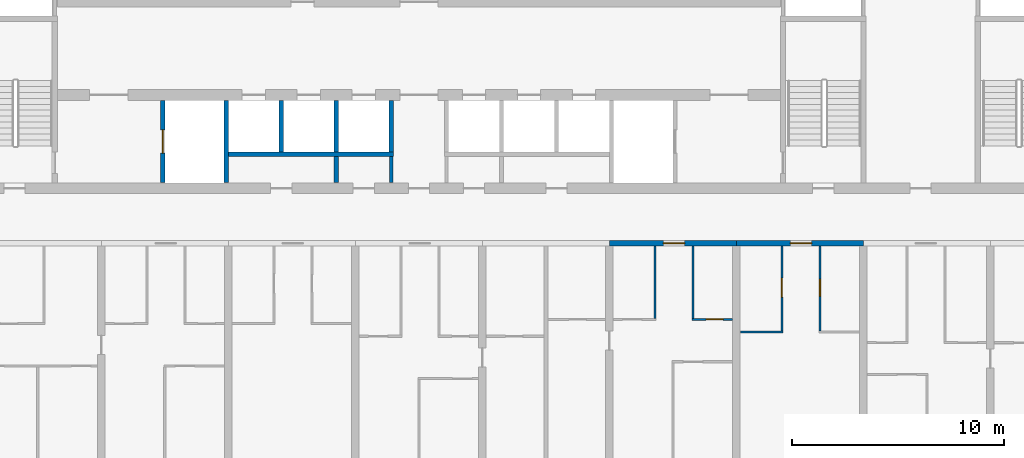
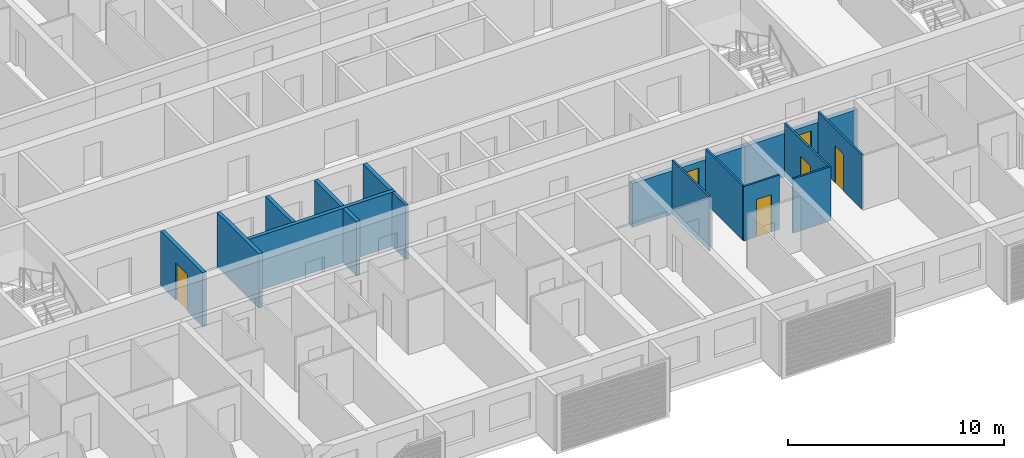
# One storey, part 6 of 27: 16 walls, 6 doors, 6 openings.
"""IFC4 building model written with IfcOpenShell, lengths in metres."""

import ifcopenshell
import ifcopenshell.guid

model = None  # the IFC model being written
_history = None  # IfcOwnerHistory: only IFC2X3 demands one
_inside = {}  # id of a spatial element -> (the spatial element, [elements in it])
_under = {}  # id of a project, library or spatial element -> (it, [spatial elements below it])
_declared = {}  # id of a project -> (the project, [libraries it declares])
_typed = {}  # id of a type object -> (the type object, [elements of that type])
_made_of = {}  # id of a material, layer set ... -> (it, [elements and type objects made of it])


def new_model(schema):
    """Start an empty IFC model of exactly this schema.

    Asked for "IFC4X3", IfcOpenShell would pick the latest addendum, in which some entities
    have other attributes; the version numbers below select the first issue.
    IFC2X3 requires an IfcOwnerHistory on every rooted entity: one is made here for all.
    """
    global model, _history
    if schema == "IFC4X3":
        model = ifcopenshell.file(schema_version=(4, 3, 0, 0))
    else:
        model = ifcopenshell.file(schema=schema)
    _inside.clear()
    _under.clear()
    _declared.clear()
    _typed.clear()
    _made_of.clear()
    _history = None
    if model.schema == "IFC2X3":
        org = make("IfcOrganization", Name="unknown")
        user = make(
            "IfcPersonAndOrganization",
            ThePerson=make("IfcPerson", FamilyName="unknown"),
            TheOrganization=org,
        )
        app = make(
            "IfcApplication",
            ApplicationDeveloper=org,
            Version="unknown",
            ApplicationFullName="unknown",
            ApplicationIdentifier="unknown",
        )
        _history = make(
            "IfcOwnerHistory",
            OwningUser=user,
            OwningApplication=app,
            ChangeAction="ADDED",
            CreationDate=0,
        )
    return model


def make(cls, **values):
    """One entity of the class cls with the attributes given. An attribute that is None is left unset."""
    return model.create_entity(
        cls, **{name: value for name, value in values.items() if value is not None}
    )


def rooted(cls, **values):
    """An entity with a GlobalId (a new one), such as an element, a storey or a relation."""
    return make(cls, GlobalId=ifcopenshell.guid.new(), OwnerHistory=_history, **values)


def si_unit(unit_type, name, prefix=None):
    """IfcSIUnit, for example si_unit("LENGTHUNIT", "METRE", prefix="MILLI")."""
    return make("IfcSIUnit", UnitType=unit_type, Prefix=prefix, Name=name)


def assignment(units):
    """IfcUnitAssignment: the units of a project."""
    return None if units is None else make("IfcUnitAssignment", Units=units)


def point(xyz):
    """IfcCartesianPoint."""
    return None if xyz is None else make("IfcCartesianPoint", Coordinates=xyz)


def direction(xyz):
    """IfcDirection."""
    return None if xyz is None else make("IfcDirection", DirectionRatios=xyz)


def frame(location, z_axis=None, x_axis=None):
    """IfcAxis2Placement3D, a coordinate frame: its origin and axes. An axis left out is left unset."""
    return make(
        "IfcAxis2Placement3D",
        Location=point(location),
        Axis=direction(z_axis),
        RefDirection=direction(x_axis),
    )


def frame_2d(location, x_axis=None):
    """IfcAxis2Placement2D, a coordinate frame in the plane: its origin and x axis."""
    return make(
        "IfcAxis2Placement2D", Location=point(location), RefDirection=direction(x_axis)
    )


def origin():
    """The frame at (0, 0, 0) with its axes left unset."""
    return frame((0.0, 0.0, 0.0))


def place(relative_to, where):
    """IfcLocalPlacement: puts the frame where relative to a parent placement (None: the world)."""
    return make(
        "IfcLocalPlacement", PlacementRelTo=relative_to, RelativePlacement=where
    )


def context(
    kind, dimensions, precision=None, world=None, true_north=None, identifier=None
):
    """IfcGeometricRepresentationContext, for example the 3D "Model" context."""
    return make(
        "IfcGeometricRepresentationContext",
        ContextIdentifier=identifier,
        ContextType=kind,
        CoordinateSpaceDimension=dimensions,
        Precision=precision,
        WorldCoordinateSystem=world,
        TrueNorth=true_north,
    )


def subcontext(parent, identifier, kind, view, scale=None):
    """IfcGeometricRepresentationSubContext, for example "Body" below "Model"."""
    return make(
        "IfcGeometricRepresentationSubContext",
        ContextIdentifier=identifier,
        ContextType=kind,
        ParentContext=parent,
        TargetScale=scale,
        TargetView=view,
    )


def project(units=None, contexts=None):
    """IfcProject with its units and contexts."""
    return rooted(
        "IfcProject",
        Name="project",
        RepresentationContexts=contexts,
        UnitsInContext=assignment(units),
    )


def spatial(cls, under=None, at=None, **own):
    """A site, building, storey or space (cls), placed at a placement, below another one or the project."""
    s = rooted(cls, ObjectPlacement=at, **own)
    if under is not None:
        _under.setdefault(under.id(), (under, []))[1].append(s)
    return s


def profile(cls, at=None, kind="AREA", **sizes):
    """A parametric profile (cls). Its sizes go by their IFC names, for example OverallWidth=200.0."""
    return make(cls, ProfileType=kind, Position=at, **sizes)


def rectangle(**sizes):
    """IfcRectangleProfileDef."""
    return profile("IfcRectangleProfileDef", **sizes)


def extrude(swept, where, along, depth):
    """IfcExtrudedAreaSolid: the profile swept, set in the frame where, extruded along a direction by depth."""
    return make(
        "IfcExtrudedAreaSolid",
        SweptArea=swept,
        Position=where,
        ExtrudedDirection=direction(along),
        Depth=depth,
    )


def shape(context_of_items, identifier, shape_type, items):
    """IfcShapeRepresentation: the items that make up one representation, for example the "Body"."""
    return make(
        "IfcShapeRepresentation",
        ContextOfItems=context_of_items,
        RepresentationIdentifier=identifier,
        RepresentationType=shape_type,
        Items=items,
    )


def material(Name=None, Category=None):
    """IfcMaterial."""
    return make("IfcMaterial", Name=Name, Category=Category)


def layer(
    of_material, thickness, ventilated=None, Name=None, Category=None, Priority=None
):
    """IfcMaterialLayer: one layer of a wall or slab, of a material (None: an air gap)."""
    return make(
        "IfcMaterialLayer",
        Material=of_material,
        LayerThickness=thickness,
        IsVentilated=ventilated,
        Name=Name,
        Category=Category,
        Priority=Priority,
    )


def layer_set(layers, Name=None):
    """IfcMaterialLayerSet."""
    return make("IfcMaterialLayerSet", MaterialLayers=layers, LayerSetName=Name)


def made_of(thing, what):
    """Note that an element or type object is made of a material, layer set ...; save() writes the relation."""
    if what is not None:
        _made_of.setdefault(what.id(), (what, []))[1].append(thing)
    return thing


def type_object(cls, material=None, **own):
    """A type object (cls), such as IfcWallType, which elements share."""
    return made_of(rooted(cls, **own), material)


def element(
    cls,
    number,
    at=None,
    inside=None,
    cuts=None,
    type_object=None,
    material=None,
    context=None,
    identifier="Body",
    shape_type=None,
    held_by="IfcProductDefinitionShape",
    body=None,
    shapes=None,
    **own,
):
    """One element of the class cls, such as IfcWall. Its Tag is "e" and its number.

    at: its placement. inside: the storey or other place that contains it. cuts: it is an
    opening in that element (IfcRelVoidsElement). A single representation is given by context,
    identifier, shape_type and body (its items); several are given by shapes. held_by: the class
    of the entity that holds the representations. save() writes the other relations.
    """
    e = rooted(cls, Tag="e%d" % number, ObjectPlacement=at, **own)
    if body is not None:
        shapes = [shape(context, identifier, shape_type, body)]
    if shapes is not None:
        e.Representation = make(held_by, Representations=shapes)
    if inside is not None:
        _inside.setdefault(inside.id(), (inside, []))[1].append(e)
    if cuts is not None:
        rooted(
            "IfcRelVoidsElement", RelatingBuildingElement=cuts, RelatedOpeningElement=e
        )
    if type_object is not None:
        _typed.setdefault(type_object.id(), (type_object, []))[1].append(e)
    return made_of(e, material)


def fill(opening, filler):
    """IfcRelFillsElement: the door or window that sits in an opening."""
    return rooted(
        "IfcRelFillsElement",
        RelatingOpeningElement=opening,
        RelatedBuildingElement=filler,
    )


def aggregate(whole, parts):
    """IfcRelAggregates: a whole, such as a stair, and the parts it consists of."""
    return rooted("IfcRelAggregates", RelatingObject=whole, RelatedObjects=parts)


def save(model, path):
    """Write the relations noted so far, then the file.

    IfcRelAggregates (storeys below a building ...), IfcRelContainedInSpatialStructure (elements
    in a storey), IfcRelDefinesByType, IfcRelAssociatesMaterial and IfcRelDeclares: one each for
    every whole, place, type object, material and project.
    """
    for whole, parts in _under.values():
        aggregate(whole, parts)
    for where, things in _inside.values():
        rooted(
            "IfcRelContainedInSpatialStructure",
            RelatedElements=things,
            RelatingStructure=where,
        )
    for kind, things in _typed.values():
        rooted("IfcRelDefinesByType", RelatedObjects=things, RelatingType=kind)
    for what, things in _made_of.values():
        rooted("IfcRelAssociatesMaterial", RelatedObjects=things, RelatingMaterial=what)
    for by, libraries in _declared.values():
        rooted("IfcRelDeclares", RelatingContext=by, RelatedDefinitions=libraries)
    model.write(path)


model = new_model("IFC4")

# Units and contexts
model_context = context("Model", 3, precision=1e-05, world=origin(), true_north=direction((0.0, 1.0)))
body_context = subcontext(model_context, "Body", "Model", "MODEL_VIEW")
ifc_project = project(units=[si_unit("LENGTHUNIT", "METRE"), si_unit("AREAUNIT", "SQUARE_METRE"), si_unit("VOLUMEUNIT", "CUBIC_METRE"), si_unit("PLANEANGLEUNIT", "RADIAN"), si_unit("MASSUNIT", "GRAM", prefix="KILO")], contexts=[model_context])

# Site, building, storey
site_placement = place(None, origin())
site = spatial("IfcSite", under=ifc_project, at=site_placement, CompositionType="ELEMENT")
building_placement = place(site_placement, origin())
building = spatial("IfcBuilding", under=site, at=building_placement, Name="Poui Terraces", CompositionType="ELEMENT")
storey_placement = place(building_placement, frame((0.0, 0.0, 76.199951171875)))
storey = spatial("IfcBuildingStorey", under=building, at=storey_placement, Name="L20", CompositionType="ELEMENT", Elevation=76.199951171875)

# Wall
ifc_material_1 = material(Name="Fire-rated plasterboard wall")
ifc_layer_1 = layer(ifc_material_1, 0.14990234375)
ifc_layer_set_1 = layer_set([ifc_layer_1], Name="Fire-rated plasterboard wall")
wall_type_1 = type_object("IfcWallType", Name="CORRIDOR WALL 150", PredefinedType="PARTITIONING", material=ifc_layer_set_1)
wall_1_placement = place(storey_placement, frame((49.699951171875, 14.860107421875, 0.0), z_axis=(0.0, 0.0, 1.0), x_axis=(0.0, 1.0, 0.0)))
element("IfcWall", 1, at=wall_1_placement, inside=storey, type_object=wall_type_1, Name="CORRIDOR WALL 150", PredefinedType="PARTITIONING", context=body_context, shape_type="SweptSolid", body=[
    extrude(rectangle(XDim=1.239990234375, YDim=0.14990234375, at=frame_2d((0.6201171875, 0.0))), origin(), (0.0, 0.0, 1.0), 3.06005859375),
])

# Wall, opening, door
ifc_material_2 = material(Name="Concrete 65 MPa", Category="concrete")
ifc_layer_2 = layer(ifc_material_2, 0.25)
ifc_layer_set_2 = layer_set([ifc_layer_2], Name="Concrete 65 MPa")
wall_type_2 = type_object("IfcWallType", Name="CORRIDOR WALL 250 65MPa", PredefinedType="SHEAR", material=ifc_layer_set_2)
wall_2_placement = place(storey_placement, frame((60.0, 12.0, 0.0), z_axis=(0.0, 0.0, 1.0), x_axis=(1.0, 0.0, 0.0)))
wall_2 = element("IfcWall", 2, at=wall_2_placement, inside=storey, type_object=wall_type_2, Name="CORRIDOR WALL LINE B BAY 10", PredefinedType="SHEAR", context=body_context, shape_type="SweptSolid", body=[
    extrude(rectangle(XDim=6.0, YDim=0.25, at=frame_2d((3.0, 0.0))), origin(), (0.0, 0.0, 1.0), 2.4599609375),
])
opening_1_placement = place(wall_2_placement, frame((2.550048828125, 0.0, 0.0)))
opening_1 = element("IfcOpeningElement", 3, at=opening_1_placement, cuts=wall_2, Name="Opening FD30S", PredefinedType="OPENING", context=body_context, shape_type="SweptSolid", body=[
    extrude(rectangle(XDim=1.0, YDim=2.10009765625, at=frame_2d((0.5, 1.050048828125))), frame((0.0, 0.135009765625, 0.0), z_axis=(0.0, -1.0, 0.0), x_axis=(1.0, 0.0, 0.0)), (0.0, 0.0, 1.0), 0.27001953125),
])
ifc_material_3 = material(Name="Steel fire door", Category="steel")
door_type_1 = type_object("IfcDoorType", Name="FLAT ENTRANCE DOOR 1000 X 2100", OperationType="NOTDEFINED", PredefinedType="DOOR", material=ifc_material_3)
door_1_placement = place(opening_1_placement, frame((1.0, 0.0, 0.0), z_axis=(0.0, 0.0, 1.0), x_axis=(-1.0, 0.0, 0.0)))
door_1 = element("IfcDoor", 4, at=door_1_placement, inside=storey, type_object=door_type_1, Name="FLAT ENTRANCE DOOR 116", OperationType="SINGLE_SWING_LEFT", OverallHeight=2.10009765625, OverallWidth=1.0, PredefinedType="DOOR", context=body_context, shape_type="SweptSolid", body=[
    extrude(rectangle(XDim=1.0, YDim=2.10009765625, at=frame_2d((0.5, 1.050048828125))), frame((0.0, 0.02490234375, 0.0), z_axis=(0.0, -1.0, 0.0), x_axis=(1.0, 0.0, 0.0)), (0.0, 0.0, 1.0), 0.050048828125),
])
fill(opening_1, door_1)

wall_3_placement = place(storey_placement, frame((66.0, 12.0, 0.0), z_axis=(0.0, 0.0, 1.0), x_axis=(1.0, 0.0, 0.0)))
wall_3 = element("IfcWall", 5, at=wall_3_placement, inside=storey, type_object=wall_type_2, Name="CORRIDOR WALL LINE B BAY 11", PredefinedType="SHEAR", context=body_context, shape_type="SweptSolid", body=[
    extrude(rectangle(XDim=6.0, YDim=0.25, at=frame_2d((3.0, 0.0))), origin(), (0.0, 0.0, 1.0), 2.4599609375),
])
opening_2_placement = place(wall_3_placement, frame((2.550048828125, 0.0, 0.0)))
opening_2 = element("IfcOpeningElement", 6, at=opening_2_placement, cuts=wall_3, Name="Opening FD30S", PredefinedType="OPENING", context=body_context, shape_type="SweptSolid", body=[
    extrude(rectangle(XDim=1.0, YDim=2.10009765625, at=frame_2d((0.5, 1.050048828125))), frame((0.0, 0.135009765625, 0.0), z_axis=(0.0, -1.0, 0.0), x_axis=(1.0, 0.0, 0.0)), (0.0, 0.0, 1.0), 0.27001953125),
])
door_2_placement = place(opening_2_placement, frame((1.0, 0.0, 0.0), z_axis=(0.0, 0.0, 1.0), x_axis=(-1.0, 0.0, 0.0)))
door_2 = element("IfcDoor", 7, at=door_2_placement, inside=storey, type_object=door_type_1, Name="FLAT ENTRANCE DOOR 120", OperationType="SINGLE_SWING_LEFT", OverallHeight=2.10009765625, OverallWidth=1.0, PredefinedType="DOOR", context=body_context, shape_type="SweptSolid", body=[
    extrude(rectangle(XDim=1.0, YDim=2.10009765625, at=frame_2d((0.5, 1.050048828125))), frame((0.0, 0.02490234375, 0.0), z_axis=(0.0, -1.0, 0.0), x_axis=(1.0, 0.0, 0.0)), (0.0, 0.0, 1.0), 0.050048828125),
])
fill(opening_2, door_2)

# Wall
ifc_material_4 = material(Name="Plasterboard partition")
ifc_layer_3 = layer(ifc_material_4, 0.10009765625)
ifc_layer_set_3 = layer_set([ifc_layer_3], Name="Plasterboard partition")
wall_type_3 = type_object("IfcWallType", Name="FLAT PARTITION 100", PredefinedType="PARTITIONING", material=ifc_layer_set_3)
wall_4_placement = place(storey_placement, frame((66.18505859375, 7.800048828125, 0.0), z_axis=(0.0, 0.0, 1.0), x_axis=(1.0, 0.0, 0.0)))
element("IfcWall", 8, at=wall_4_placement, inside=storey, type_object=wall_type_3, Name="FLAT PARTITION 100", PredefinedType="PARTITIONING", context=body_context, shape_type="SweptSolid", body=[
    extrude(rectangle(XDim=2.014892578125, YDim=0.10009765625, at=frame_2d((1.00732421875, 0.0))), origin(), (0.0, 0.0, 1.0), 3.06005859375),
])

# Wall, opening, door
wall_5_placement = place(storey_placement, frame((63.89990234375, 8.39990234375, 0.0), z_axis=(0.0, 0.0, 1.0), x_axis=(1.0, 0.0, 0.0)))
wall_5 = element("IfcWall", 9, at=wall_5_placement, inside=storey, type_object=wall_type_3, Name="FLAT PARTITION 100", PredefinedType="PARTITIONING", context=body_context, shape_type="SweptSolid", body=[
    extrude(rectangle(XDim=1.9150390625, YDim=0.10009765625, at=frame_2d((0.95751953125, 0.0))), origin(), (0.0, 0.0, 1.0), 3.06005859375),
])
opening_3_placement = place(wall_5_placement, frame((0.675048828125, 0.0, 0.0)))
opening_3 = element("IfcOpeningElement", 10, at=opening_3_placement, cuts=wall_5, Name="Opening D80", PredefinedType="OPENING", context=body_context, shape_type="SweptSolid", body=[
    extrude(rectangle(XDim=0.800048828125, YDim=2.10009765625, at=frame_2d((0.39990234375, 1.050048828125))), frame((0.0, 0.06005859375, 0.0), z_axis=(0.0, -1.0, 0.0), x_axis=(1.0, 0.0, 0.0)), (0.0, 0.0, 1.0), 0.1201171875),
])
ifc_material_5 = material(Name="Solid core timber door", Category="wood")
door_type_2 = type_object("IfcDoorType", Name="BATHROOM, LAUNDRY AND STORE DOOR 800 X 2100", OperationType="NOTDEFINED", PredefinedType="DOOR", material=ifc_material_5)
door_3_placement = place(opening_3_placement, origin())
door_3 = element("IfcDoor", 11, at=door_3_placement, inside=storey, type_object=door_type_2, Name="BATHROOM, LAUNDRY AND STORE DOOR 118", OperationType="SINGLE_SWING_LEFT", OverallHeight=2.10009765625, OverallWidth=0.800048828125, PredefinedType="DOOR", context=body_context, shape_type="SweptSolid", body=[
    extrude(rectangle(XDim=0.800048828125, YDim=2.10009765625, at=frame_2d((0.39990234375, 1.050048828125))), frame((0.0, 0.02490234375, 0.0), z_axis=(0.0, -1.0, 0.0), x_axis=(1.0, 0.0, 0.0)), (0.0, 0.0, 1.0), 0.050048828125),
])
fill(opening_3, door_3)

# Walls
for number, where, z_axis, x_axis, name in (
    (12, (62.14990234375, 8.449951171875, 0.0), (0.0, 0.0, 1.0), (0.0, 1.0, 0.0), "FLAT PARTITION 100"),
    (13, (63.949951171875, 8.449951171875, 0.0), (0.0, 0.0, 1.0), (0.0, 1.0, 0.0), "FLAT PARTITION 100"),
):
    element("IfcWall", number, at=place(storey_placement, frame(where, z_axis=z_axis, x_axis=x_axis)), inside=storey, type_object=wall_type_3, Name=name, PredefinedType="PARTITIONING", context=body_context, shape_type="SweptSolid", body=[
        extrude(rectangle(XDim=3.4150390625, YDim=0.10009765625, at=frame_2d((1.70751953125, 0.0))), origin(), (0.0, 0.0, 1.0), 3.06005859375),
    ])

# Wall, opening, door
wall_6_placement = place(storey_placement, frame((68.14990234375, 7.85009765625, 0.0), z_axis=(0.0, 0.0, 1.0), x_axis=(0.0, 1.0, 0.0)))
wall_6 = element("IfcWall", 14, at=wall_6_placement, inside=storey, type_object=wall_type_3, Name="FLAT PARTITION 100", PredefinedType="PARTITIONING", context=body_context, shape_type="SweptSolid", body=[
    extrude(rectangle(XDim=4.014892578125, YDim=0.10009765625, at=frame_2d((2.00732421875, 0.0))), origin(), (0.0, 0.0, 1.0), 3.06005859375),
])
opening_4_placement = place(wall_6_placement, frame((1.60009765625, 0.0, 0.0)))
opening_4 = element("IfcOpeningElement", 15, at=opening_4_placement, cuts=wall_6, Name="Opening D90", PredefinedType="OPENING", context=body_context, shape_type="SweptSolid", body=[
    extrude(rectangle(XDim=0.89990234375, YDim=2.10009765625, at=frame_2d((0.449951171875, 1.050048828125))), frame((0.0, 0.06005859375, 0.0), z_axis=(0.0, -1.0, 0.0), x_axis=(1.0, 0.0, 0.0)), (0.0, 0.0, 1.0), 0.1201171875),
])
door_type_3 = type_object("IfcDoorType", Name="INTERNAL DOOR 900 X 2100", OperationType="NOTDEFINED", PredefinedType="DOOR", material=ifc_material_5)
door_4_placement = place(opening_4_placement, origin())
door_4 = element("IfcDoor", 16, at=door_4_placement, inside=storey, type_object=door_type_3, Name="INTERNAL DOOR 119", OperationType="SINGLE_SWING_RIGHT", OverallHeight=2.10009765625, OverallWidth=0.89990234375, PredefinedType="DOOR", context=body_context, shape_type="SweptSolid", body=[
    extrude(rectangle(XDim=0.89990234375, YDim=2.10009765625, at=frame_2d((0.449951171875, 1.050048828125))), frame((0.0, 0.02490234375, 0.0), z_axis=(0.0, -1.0, 0.0), x_axis=(1.0, 0.0, 0.0)), (0.0, 0.0, 1.0), 0.050048828125),
])
fill(opening_4, door_4)

wall_7_placement = place(storey_placement, frame((69.949951171875, 7.85009765625, 0.0), z_axis=(0.0, 0.0, 1.0), x_axis=(0.0, 1.0, 0.0)))
wall_7 = element("IfcWall", 17, at=wall_7_placement, inside=storey, type_object=wall_type_3, Name="FLAT PARTITION 100", PredefinedType="PARTITIONING", context=body_context, shape_type="SweptSolid", body=[
    extrude(rectangle(XDim=4.014892578125, YDim=0.10009765625, at=frame_2d((2.00732421875, 0.0))), origin(), (0.0, 0.0, 1.0), 3.06005859375),
])
opening_5_placement = place(wall_7_placement, frame((1.64990234375, 0.0, 0.0)))
opening_5 = element("IfcOpeningElement", 18, at=opening_5_placement, cuts=wall_7, Name="Opening D80", PredefinedType="OPENING", context=body_context, shape_type="SweptSolid", body=[
    extrude(rectangle(XDim=0.800048828125, YDim=2.10009765625, at=frame_2d((0.39990234375, 1.050048828125))), frame((0.0, 0.06005859375, 0.0), z_axis=(0.0, -1.0, 0.0), x_axis=(1.0, 0.0, 0.0)), (0.0, 0.0, 1.0), 0.1201171875),
])
door_5_placement = place(opening_5_placement, frame((0.800048828125, 0.0, 0.0), z_axis=(0.0, 0.0, 1.0), x_axis=(-1.0, 0.0, 0.0)))
door_5 = element("IfcDoor", 19, at=door_5_placement, inside=storey, type_object=door_type_2, Name="BATHROOM, LAUNDRY AND STORE DOOR 121", OperationType="SINGLE_SWING_RIGHT", OverallHeight=2.10009765625, OverallWidth=0.800048828125, PredefinedType="DOOR", context=body_context, shape_type="SweptSolid", body=[
    extrude(rectangle(XDim=0.800048828125, YDim=2.10009765625, at=frame_2d((0.39990234375, 1.050048828125))), frame((0.0, 0.02490234375, 0.0), z_axis=(0.0, -1.0, 0.0), x_axis=(1.0, 0.0, 0.0)), (0.0, 0.0, 1.0), 0.050048828125),
])
fill(opening_5, door_5)

# Walls
ifc_material_6 = material(Name="Fire-rated masonry wall", Category="masonry")
ifc_layer_4 = layer(ifc_material_6, 0.199951171875)
ifc_layer_set_4 = layer_set([ifc_layer_4], Name="Fire-rated masonry wall")
wall_type_4 = type_object("IfcWallType", Name="PLANT ROOM WALL 200", PredefinedType="PARTITIONING", material=ifc_layer_set_4)
wall_8_placement = place(storey_placement, frame((47.10009765625, 14.860107421875, 0.0), z_axis=(0.0, 0.0, 1.0), x_axis=(0.0, 1.0, 0.0)))
element("IfcWall", 20, at=wall_8_placement, inside=storey, type_object=wall_type_4, Name="PLANT ROOM WALL 200", PredefinedType="PARTITIONING", context=body_context, shape_type="SweptSolid", body=[
    extrude(rectangle(XDim=1.239990234375, YDim=0.199951171875, at=frame_2d((0.6201171875, 0.0))), origin(), (0.0, 0.0, 1.0), 3.06005859375),
])
ifc_material_7 = material(Name="Fire-rated masonry shaft wall", Category="masonry")
ifc_layer_5 = layer(ifc_material_7, 0.199951171875)
ifc_layer_set_5 = layer_set([ifc_layer_5], Name="Fire-rated masonry shaft wall")
wall_type_5 = type_object("IfcWallType", Name="SHAFT WALL 200", PredefinedType="PARTITIONING", material=ifc_layer_set_5)
wall_9_placement = place(storey_placement, frame((42.0, 16.199951171875, 0.0), z_axis=(0.0, 0.0, 1.0), x_axis=(1.0, 0.0, 0.0)))
element("IfcWall", 21, at=wall_9_placement, inside=storey, type_object=wall_type_5, Name="SHAFT WALL 200", PredefinedType="PARTITIONING", context=body_context, shape_type="SweptSolid", body=[
    extrude(rectangle(XDim=7.800048828125, YDim=0.199951171875, at=frame_2d((3.89990234375, 0.0))), origin(), (0.0, 0.0, 1.0), 3.06005859375),
])

# Wall, opening, door
wall_10_placement = place(storey_placement, frame((38.89990234375, 14.860107421875, 0.0), z_axis=(0.0, 0.0, 1.0), x_axis=(0.0, 1.0, 0.0)))
wall_10 = element("IfcWall", 22, at=wall_10_placement, inside=storey, type_object=wall_type_5, Name="SHAFT WALL 200", PredefinedType="PARTITIONING", context=body_context, shape_type="SweptSolid", body=[
    extrude(rectangle(XDim=3.8798828125, YDim=0.199951171875, at=frame_2d((1.93994140625, 0.0))), origin(), (0.0, 0.0, 1.0), 3.06005859375),
])
opening_6_placement = place(wall_10_placement, frame((1.389892578125, 0.0, 0.0)))
opening_6 = element("IfcOpeningElement", 23, at=opening_6_placement, cuts=wall_10, Name="Opening LD", PredefinedType="OPENING", context=body_context, shape_type="SweptSolid", body=[
    extrude(rectangle(XDim=1.10009765625, YDim=2.10009765625, at=frame_2d((0.550048828125, 1.050048828125))), frame((0.0, 0.10986328125, 0.0), z_axis=(0.0, -1.0, 0.0), x_axis=(1.0, 0.0, 0.0)), (0.0, 0.0, 1.0), 0.219970703125),
])
ifc_material_8 = material(Name="Stainless steel sliding door", Category="steel")
door_type_4 = type_object("IfcDoorType", Name="LIFT LANDING DOOR 1100 X 2100", OperationType="DOUBLE_DOOR_SLIDING", PredefinedType="DOOR", material=ifc_material_8)
door_6_placement = place(opening_6_placement, origin())
door_6 = element("IfcDoor", 24, at=door_6_placement, inside=storey, type_object=door_type_4, Name="LANDING DOOR", OperationType="DOUBLE_DOOR_SLIDING", OverallHeight=2.10009765625, OverallWidth=1.10009765625, PredefinedType="DOOR", context=body_context, shape_type="SweptSolid", body=[
    extrude(rectangle(XDim=1.10009765625, YDim=2.10009765625, at=frame_2d((0.550048828125, 1.050048828125))), frame((0.0, 0.02490234375, 0.0), z_axis=(0.0, -1.0, 0.0), x_axis=(1.0, 0.0, 0.0)), (0.0, 0.0, 1.0), 0.050048828125),
])
fill(opening_6, door_6)

# Walls
wall_11_placement = place(storey_placement, frame((41.89990234375, 14.860107421875, 0.0), z_axis=(0.0, 0.0, 1.0), x_axis=(0.0, 1.0, 0.0)))
element("IfcWall", 25, at=wall_11_placement, inside=storey, type_object=wall_type_5, Name="SHAFT WALL 200", PredefinedType="PARTITIONING", context=body_context, shape_type="SweptSolid", body=[
    extrude(rectangle(XDim=3.8798828125, YDim=0.199951171875, at=frame_2d((1.93994140625, 0.0))), origin(), (0.0, 0.0, 1.0), 3.06005859375),
])
for number, where, z_axis, x_axis, name in (
    (26, (44.5, 16.300048828125, 0.0), (0.0, 0.0, 1.0), (0.0, 1.0, 0.0), "SHAFT WALL 200"),
    (27, (47.10009765625, 16.300048828125, 0.0), (0.0, 0.0, 1.0), (0.0, 1.0, 0.0), "SHAFT WALL 200"),
    (28, (49.699951171875, 16.300048828125, 0.0), (0.0, 0.0, 1.0), (0.0, 1.0, 0.0), "SHAFT WALL 200"),
):
    element("IfcWall", number, at=place(storey_placement, frame(where, z_axis=z_axis, x_axis=x_axis)), inside=storey, type_object=wall_type_5, Name=name, PredefinedType="PARTITIONING", context=body_context, shape_type="SweptSolid", body=[
        extrude(rectangle(XDim=2.43994140625, YDim=0.199951171875, at=frame_2d((1.219970703125, 0.0))), origin(), (0.0, 0.0, 1.0), 3.06005859375),
    ])

save(model, "model.ifc")
